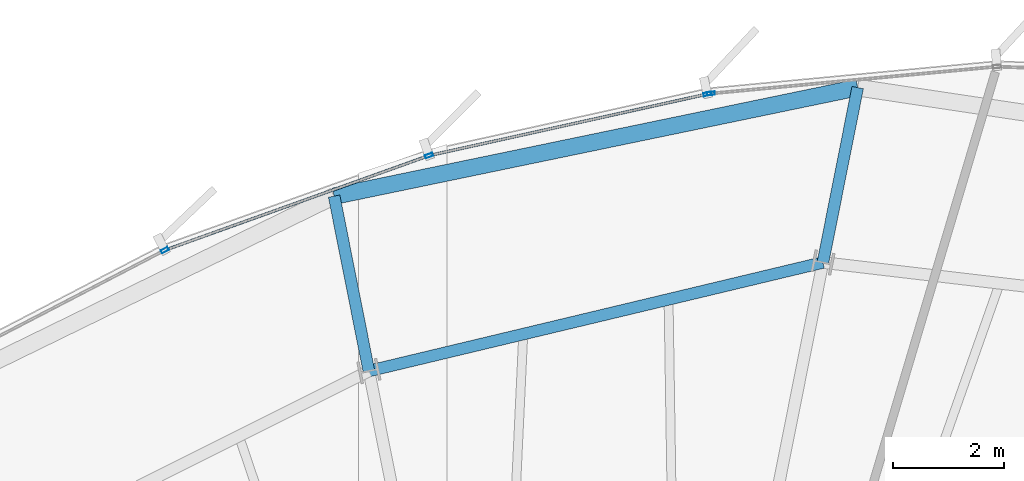
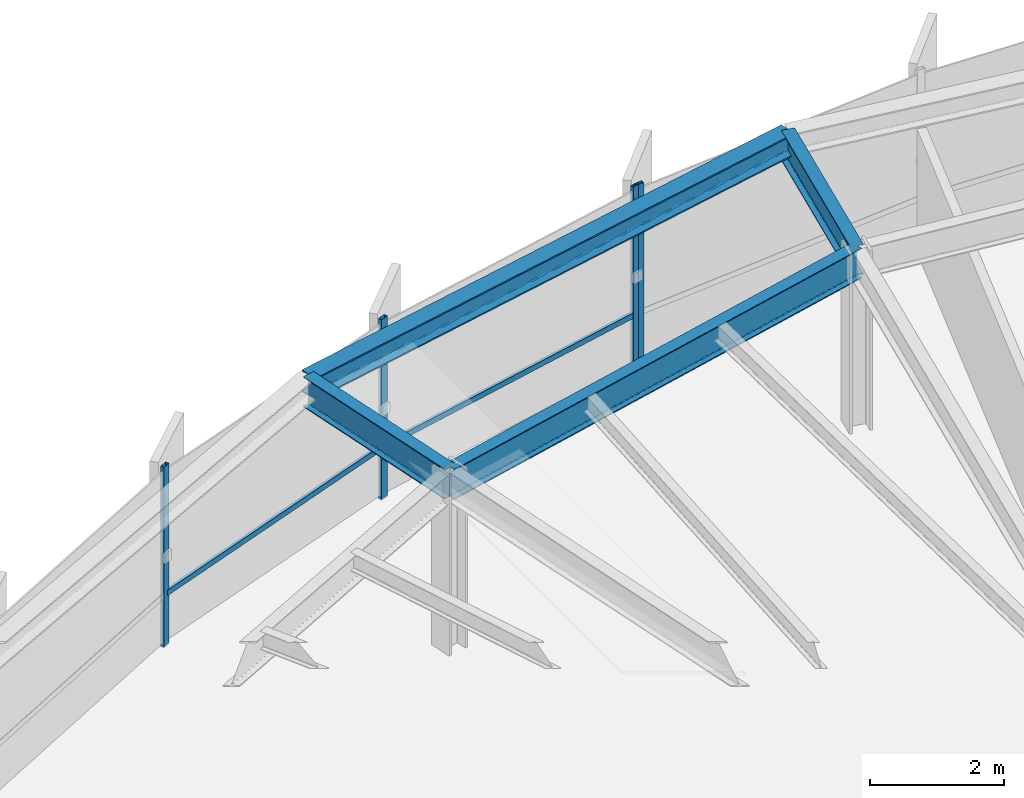
# One storey, part 21 of 32: 6 members, 4 beams, 2 elements without a shape of their own.
"""IFC4 building model written with IfcOpenShell, lengths in metres."""

from ifc_helpers import new_model, si_unit, direction, frame, origin, origin_2d, place, context, subcontext, project, spatial, hollow_rectangle, i_section, extrude, source, transform, mapped, material, layer, layer_set, material_profile, profile_set, type_object, element, aggregate, save


model = new_model("IFC4")

# Units and contexts
model_context = context("Model", 3, precision=1e-05, world=origin(), true_north=direction((0.0, 1.0)))
body_context = subcontext(model_context, "Body", "Model", "MODEL_VIEW")
ifc_project = project(units=[si_unit("LENGTHUNIT", "METRE"), si_unit("AREAUNIT", "SQUARE_METRE"), si_unit("VOLUMEUNIT", "CUBIC_METRE"), si_unit("PLANEANGLEUNIT", "RADIAN"), si_unit("MASSUNIT", "GRAM", prefix="KILO"), si_unit("THERMODYNAMICTEMPERATUREUNIT", "KELVIN")], contexts=[model_context])

# Site, building, storey
site_placement = place(None, origin())
site = spatial("IfcSite", under=ifc_project, at=site_placement, CompositionType="ELEMENT")
building_placement = place(site_placement, origin())
building = spatial("IfcBuilding", under=site, at=building_placement, Name="Kethvar Cultural Tower", CompositionType="ELEMENT")
storey_placement = place(building_placement, frame((0.0, 0.0, 160.75)))
storey = spatial("IfcBuildingStorey", under=building, at=storey_placement, Name="L41", CompositionType="ELEMENT", Elevation=160.75)

# Beams
ifc_material_1 = material(Name="Steel S355J2", Category="steel")
ifc_material_profile_1 = material_profile(ifc_material_1, i_section(OverallWidth=0.2099609375, OverallDepth=0.550048828125, WebThickness=0.010986328125, FlangeThickness=0.01708984375, FilletRadius=0.02392578125, at=origin_2d()), Name="Steel S355J2 — IPE550")
ifc_profile_set_1 = profile_set([ifc_material_profile_1], Name="Steel S355J2 — IPE550")
beam_type_1 = type_object("IfcBeamType", Name="BM-IPE550", PredefinedType="BEAM", material=ifc_profile_set_1)
shared_shape_1 = source(origin(), body_context, "Body", "SweptSolid", [
    extrude(i_section(OverallWidth=0.2099609375, OverallDepth=0.550048828125, WebThickness=0.010986328125, FlangeThickness=0.01708984375, FilletRadius=0.02392578125, at=origin_2d()), origin(), (0.0, 0.0, 1.0), 3.199951171875),
])
for number, where, z_axis, x_axis, name in (
    (1, (51.068603515625, 49.25927734375, 3.02294921875), (0.195088965533, 0.980785550224, 0.0), (-0.980785550224, 0.195088965533, 0.0), "L41 Perimeter Cantilever Beam RC-04"),
    (2, (42.9189453125, 47.311279296875, 3.02294921875), (-0.195088965533, 0.980785550224, 0.0), (-0.980785550224, -0.195088965533, 0.0), "L41 Perimeter Cantilever Beam RC-05"),
):
    element("IfcBeam", number, at=place(storey_placement, frame(where, z_axis=z_axis, x_axis=x_axis)), inside=storey, type_object=beam_type_1, Name=name, PredefinedType="BEAM", context=body_context, shape_type="MappedRepresentation", body=[
        mapped(shared_shape_1, transform((0.0, 0.0, 0.0), scale=1.0)),
    ])
shared_shape_2 = source(origin(), body_context, "Body", "SweptSolid", [
    extrude(i_section(OverallWidth=0.2099609375, OverallDepth=0.550048828125, WebThickness=0.010986328125, FlangeThickness=0.01708984375, FilletRadius=0.02392578125, at=origin_2d()), origin(), (0.0, 0.0, 1.0), 8.379150390625),
])
beam_1_placement = place(storey_placement, frame((51.068603515625, 49.25927734375, 3.02294921875), z_axis=(-0.972601380857, -0.232479147355, 0.0), x_axis=(0.232479147355, -0.972601380857, 0.0)))
element("IfcBeam", 3, at=beam_1_placement, inside=storey, type_object=beam_type_1, Name="L41 Column Ring Tie Beam CR-04", PredefinedType="BEAM", context=body_context, shape_type="MappedRepresentation", body=[
    mapped(shared_shape_2, transform((0.0, 0.0, 0.0), scale=1.0)),
])
ifc_material_profile_2 = material_profile(ifc_material_1, i_section(OverallWidth=0.300048828125, OverallDepth=0.39990234375, WebThickness=0.013427734375, FlangeThickness=0.02392578125, FilletRadius=0.027099609375, at=origin_2d()), Name="Steel S355J2 — HEB400")
ifc_profile_set_2 = profile_set([ifc_material_profile_2], Name="Steel S355J2 — HEB400")
beam_type_2 = type_object("IfcBeamType", Name="BM-SP400", PredefinedType="SPANDREL", material=ifc_profile_set_2)
shared_shape_3 = source(origin(), body_context, "Body", "SweptSolid", [
    extrude(i_section(OverallWidth=0.300048828125, OverallDepth=0.39990234375, WebThickness=0.013427734375, FlangeThickness=0.02392578125, FilletRadius=0.027099609375, at=origin_2d()), origin(), (0.0, 0.0, 1.0), 9.597900390625),
])
beam_2_placement = place(storey_placement, frame((51.69287109375, 52.397705078125, 3.097900390625), z_axis=(-0.979187090725, -0.202959703777, 0.0), x_axis=(0.202959703777, -0.979187090725, 0.0)))
element("IfcBeam", 4, at=beam_2_placement, inside=storey, type_object=beam_type_2, Name="L41 Perimeter Spandrel Beam SP-04", PredefinedType="SPANDREL", context=body_context, shape_type="MappedRepresentation", body=[
    mapped(shared_shape_3, transform((0.0, 0.0, 0.0), scale=1.0)),
])

# Curtain wall, member
ifc_material_2 = material(Name="Aluminium 6063-T6", Category="aluminium")
ifc_layer = layer(ifc_material_2, 0.179931640625, Name="Aluminium 6063-T6", Category="aluminium")
ifc_layer_set = layer_set([ifc_layer], Name="Aluminium 6063-T6 (180 mm)")
curtain_wall_type = type_object("IfcCurtainWallType", Name="CW-SYS-04-Z34", PredefinedType="NOTDEFINED", material=ifc_layer_set)
curtain_wall_1_placement = place(storey_placement, origin())
curtain_wall_1 = element("IfcCurtainWall", 5, at=curtain_wall_1_placement, inside=storey, type_object=curtain_wall_type, Name="L41 Curtain Wall Run 01", PredefinedType="NOTDEFINED")
ifc_material_profile_3 = material_profile(ifc_material_2, hollow_rectangle(XDim=0.06005859375, YDim=0.139892578125, WallThickness=0.0048828125, at=origin_2d()), Name="Aluminium 6063-T6 — RHS140x60x5")
ifc_profile_set_3 = profile_set([ifc_material_profile_3], Name="Aluminium 6063-T6 — RHS140x60x5")
member_type_1 = type_object("IfcMemberType", Name="CW-SYS-04-Z34-MUL", PredefinedType="MULLION", material=ifc_profile_set_3)
shared_shape_4 = source(origin(), body_context, "Body", "SweptSolid", [
    extrude(hollow_rectangle(XDim=0.06005859375, YDim=0.139892578125, WallThickness=0.0048828125, at=origin_2d()), origin(), (0.0, 0.0, 1.0), 3.300048828125),
])
member_1_placement = place(storey_placement, frame((49.05810546875, 52.29248046875, 0.0), z_axis=(0.0, 0.0, 1.0), x_axis=(0.09370866156, -0.995599661887, 0.0)))
member_1 = element("IfcMember", 6, at=member_1_placement, type_object=member_type_1, Name="CW-L41-R01 Mullion 7", PredefinedType="MULLION", context=body_context, shape_type="MappedRepresentation", body=[
    mapped(shared_shape_4, transform((0.0, 0.0, 0.0), scale=1.0)),
])
aggregate(curtain_wall_1, [member_1])

# Curtain wall, members
curtain_wall_2_placement = place(storey_placement, origin())
curtain_wall_2 = element("IfcCurtainWall", 7, at=curtain_wall_2_placement, inside=storey, type_object=curtain_wall_type, Name="L41 Curtain Wall Run 02", PredefinedType="NOTDEFINED")
member_2_placement = place(storey_placement, frame((48.994873046875, 52.282470703125, 0.0), z_axis=(0.0, 0.0, 1.0), x_axis=(0.215877271936, -0.976420505449, 0.0)))
member_2 = element("IfcMember", 8, at=member_2_placement, type_object=member_type_1, Name="CW-L41-R02 Mullion 1", PredefinedType="MULLION", context=body_context, shape_type="MappedRepresentation", body=[
    mapped(shared_shape_4, transform((0.0, 0.0, 0.0), scale=1.0)),
])
member_3_placement = place(storey_placement, frame((43.998291015625, 51.1787109375, 0.0), z_axis=(0.0, 0.0, 1.0), x_axis=(0.337243140111, -0.941417582398, 0.0)))
member_3 = element("IfcMember", 9, at=member_3_placement, type_object=member_type_1, Name="CW-L41-R02 Mullion 2", PredefinedType="MULLION", context=body_context, shape_type="MappedRepresentation", body=[
    mapped(shared_shape_4, transform((0.0, 0.0, 0.0), scale=1.0)),
])
member_4_placement = place(storey_placement, frame((39.25537109375, 49.480712890625, 0.0), z_axis=(0.0, 0.0, 1.0), x_axis=(0.46086595309, -0.88746975908, 0.0)))
member_4 = element("IfcMember", 10, at=member_4_placement, type_object=member_type_1, Name="CW-L41-R02 Mullion 3", PredefinedType="MULLION", context=body_context, shape_type="MappedRepresentation", body=[
    mapped(shared_shape_4, transform((0.0, 0.0, 0.0), scale=1.0)),
])
ifc_material_profile_4 = material_profile(ifc_material_2, hollow_rectangle(XDim=0.050048828125, YDim=0.10009765625, WallThickness=0.00390625, at=origin_2d()), Name="Aluminium 6063-T6 — RHS100x50x4")
ifc_profile_set_4 = profile_set([ifc_material_profile_4], Name="Aluminium 6063-T6 — RHS100x50x4")
member_type_2 = type_object("IfcMemberType", Name="CW-SYS-04-Z34-TRN", PredefinedType="USERDEFINED", material=ifc_profile_set_4)
shared_shape_5 = source(origin(), body_context, "Body", "SweptSolid", [
    extrude(hollow_rectangle(XDim=0.050048828125, YDim=0.10009765625, WallThickness=0.00390625, at=origin_2d()), origin(), (0.0, 0.0, 1.0), 5.08349609375),
])
member_5_placement = place(storey_placement, frame((48.99072265625, 52.281494140625, 0.949951171875), z_axis=(-0.976420408445, -0.215877710686, 0.0), x_axis=(0.215877710686, -0.976420408445, 0.0)))
member_5 = element("IfcMember", 11, at=member_5_placement, type_object=member_type_2, Name="CW-L41-R02 Transom 1", ObjectType="TRANSOM", PredefinedType="USERDEFINED", context=body_context, shape_type="MappedRepresentation", body=[
    mapped(shared_shape_5, transform((0.0, 0.0, 0.0), scale=1.0)),
])
shared_shape_6 = source(origin(), body_context, "Body", "SweptSolid", [
    extrude(hollow_rectangle(XDim=0.050048828125, YDim=0.10009765625, WallThickness=0.00390625, at=origin_2d()), origin(), (0.0, 0.0, 1.0), 4.96630859375),
])
member_6_placement = place(storey_placement, frame((43.957763671875, 51.164306640625, 0.949951171875), z_axis=(-0.941403325551, -0.337282935593, 0.0), x_axis=(0.337282935593, -0.941403325551, 0.0)))
member_6 = element("IfcMember", 12, at=member_6_placement, type_object=member_type_2, Name="CW-L41-R02 Transom 2", ObjectType="TRANSOM", PredefinedType="USERDEFINED", context=body_context, shape_type="MappedRepresentation", body=[
    mapped(shared_shape_6, transform((0.0, 0.0, 0.0), scale=1.0)),
])
aggregate(curtain_wall_2, [member_2, member_3, member_4, member_5, member_6])

save(model, "model.ifc")
